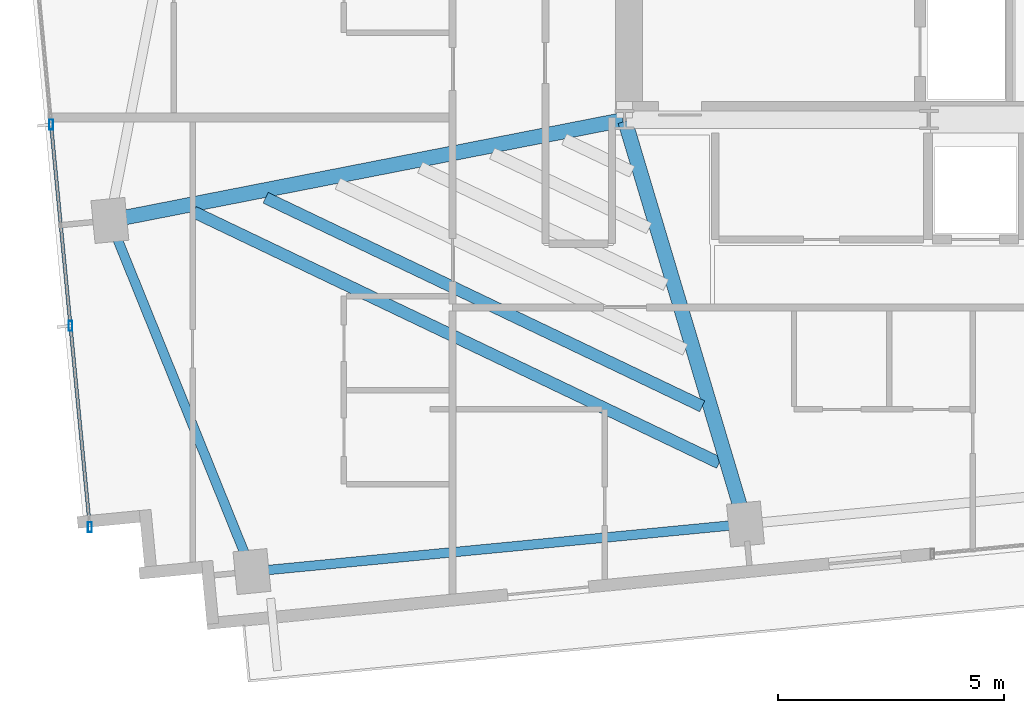
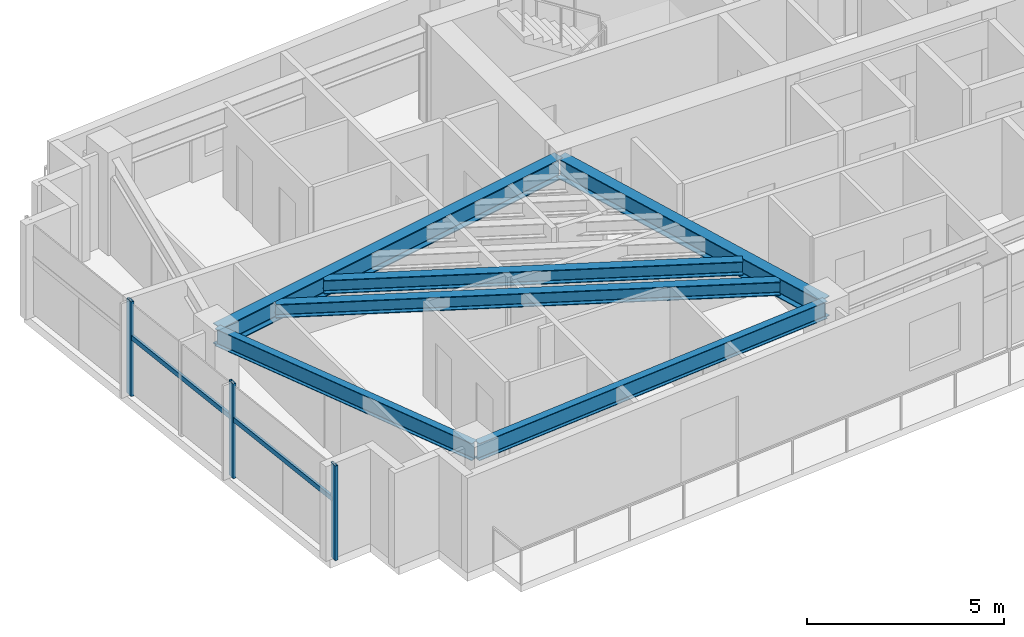
# One storey, part 2 of 18: 6 beams, 5 members, 1 element without a shape of its own.
"""IFC4 building model written with IfcOpenShell, lengths in metres."""

import ifcopenshell
import ifcopenshell.guid

model = None  # the IFC model being written
_history = None  # IfcOwnerHistory: only IFC2X3 demands one
_inside = {}  # id of a spatial element -> (the spatial element, [elements in it])
_under = {}  # id of a project, library or spatial element -> (it, [spatial elements below it])
_declared = {}  # id of a project -> (the project, [libraries it declares])
_typed = {}  # id of a type object -> (the type object, [elements of that type])
_made_of = {}  # id of a material, layer set ... -> (it, [elements and type objects made of it])


def new_model(schema):
    """Start an empty IFC model of exactly this schema.

    Asked for "IFC4X3", IfcOpenShell would pick the latest addendum, in which some entities
    have other attributes; the version numbers below select the first issue.
    IFC2X3 requires an IfcOwnerHistory on every rooted entity: one is made here for all.
    """
    global model, _history
    if schema == "IFC4X3":
        model = ifcopenshell.file(schema_version=(4, 3, 0, 0))
    else:
        model = ifcopenshell.file(schema=schema)
    _inside.clear()
    _under.clear()
    _declared.clear()
    _typed.clear()
    _made_of.clear()
    _history = None
    if model.schema == "IFC2X3":
        org = make("IfcOrganization", Name="unknown")
        user = make(
            "IfcPersonAndOrganization",
            ThePerson=make("IfcPerson", FamilyName="unknown"),
            TheOrganization=org,
        )
        app = make(
            "IfcApplication",
            ApplicationDeveloper=org,
            Version="unknown",
            ApplicationFullName="unknown",
            ApplicationIdentifier="unknown",
        )
        _history = make(
            "IfcOwnerHistory",
            OwningUser=user,
            OwningApplication=app,
            ChangeAction="ADDED",
            CreationDate=0,
        )
    return model


def make(cls, **values):
    """One entity of the class cls with the attributes given. An attribute that is None is left unset."""
    return model.create_entity(
        cls, **{name: value for name, value in values.items() if value is not None}
    )


def rooted(cls, **values):
    """An entity with a GlobalId (a new one), such as an element, a storey or a relation."""
    return make(cls, GlobalId=ifcopenshell.guid.new(), OwnerHistory=_history, **values)


def si_unit(unit_type, name, prefix=None):
    """IfcSIUnit, for example si_unit("LENGTHUNIT", "METRE", prefix="MILLI")."""
    return make("IfcSIUnit", UnitType=unit_type, Prefix=prefix, Name=name)


def assignment(units):
    """IfcUnitAssignment: the units of a project."""
    return None if units is None else make("IfcUnitAssignment", Units=units)


def point(xyz):
    """IfcCartesianPoint."""
    return None if xyz is None else make("IfcCartesianPoint", Coordinates=xyz)


def direction(xyz):
    """IfcDirection."""
    return None if xyz is None else make("IfcDirection", DirectionRatios=xyz)


def frame(location, z_axis=None, x_axis=None):
    """IfcAxis2Placement3D, a coordinate frame: its origin and axes. An axis left out is left unset."""
    return make(
        "IfcAxis2Placement3D",
        Location=point(location),
        Axis=direction(z_axis),
        RefDirection=direction(x_axis),
    )


def frame_2d(location, x_axis=None):
    """IfcAxis2Placement2D, a coordinate frame in the plane: its origin and x axis."""
    return make(
        "IfcAxis2Placement2D", Location=point(location), RefDirection=direction(x_axis)
    )


def origin():
    """The frame at (0, 0, 0) with its axes left unset."""
    return frame((0.0, 0.0, 0.0))


def origin_2d():
    """The frame at (0, 0) in the plane with its x axis left unset."""
    return frame_2d((0.0, 0.0))


def place(relative_to, where):
    """IfcLocalPlacement: puts the frame where relative to a parent placement (None: the world)."""
    return make(
        "IfcLocalPlacement", PlacementRelTo=relative_to, RelativePlacement=where
    )


def context(
    kind, dimensions, precision=None, world=None, true_north=None, identifier=None
):
    """IfcGeometricRepresentationContext, for example the 3D "Model" context."""
    return make(
        "IfcGeometricRepresentationContext",
        ContextIdentifier=identifier,
        ContextType=kind,
        CoordinateSpaceDimension=dimensions,
        Precision=precision,
        WorldCoordinateSystem=world,
        TrueNorth=true_north,
    )


def subcontext(parent, identifier, kind, view, scale=None):
    """IfcGeometricRepresentationSubContext, for example "Body" below "Model"."""
    return make(
        "IfcGeometricRepresentationSubContext",
        ContextIdentifier=identifier,
        ContextType=kind,
        ParentContext=parent,
        TargetScale=scale,
        TargetView=view,
    )


def project(units=None, contexts=None):
    """IfcProject with its units and contexts."""
    return rooted(
        "IfcProject",
        Name="project",
        RepresentationContexts=contexts,
        UnitsInContext=assignment(units),
    )


def spatial(cls, under=None, at=None, **own):
    """A site, building, storey or space (cls), placed at a placement, below another one or the project."""
    s = rooted(cls, ObjectPlacement=at, **own)
    if under is not None:
        _under.setdefault(under.id(), (under, []))[1].append(s)
    return s


def profile(cls, at=None, kind="AREA", **sizes):
    """A parametric profile (cls). Its sizes go by their IFC names, for example OverallWidth=200.0."""
    return make(cls, ProfileType=kind, Position=at, **sizes)


def hollow_rectangle(**sizes):
    """IfcRectangleHollowProfileDef."""
    return profile("IfcRectangleHollowProfileDef", **sizes)


def i_section(**sizes):
    """IfcIShapeProfileDef."""
    return profile("IfcIShapeProfileDef", **sizes)


def extrude(swept, where, along, depth):
    """IfcExtrudedAreaSolid: the profile swept, set in the frame where, extruded along a direction by depth."""
    return make(
        "IfcExtrudedAreaSolid",
        SweptArea=swept,
        Position=where,
        ExtrudedDirection=direction(along),
        Depth=depth,
    )


def shape(context_of_items, identifier, shape_type, items):
    """IfcShapeRepresentation: the items that make up one representation, for example the "Body"."""
    return make(
        "IfcShapeRepresentation",
        ContextOfItems=context_of_items,
        RepresentationIdentifier=identifier,
        RepresentationType=shape_type,
        Items=items,
    )


def source(mapping_origin, context_of_items, identifier, shape_type, items):
    """IfcRepresentationMap: a shape defined once, which mapped items show again and again."""
    return make(
        "IfcRepresentationMap",
        MappingOrigin=mapping_origin,
        MappedRepresentation=shape(context_of_items, identifier, shape_type, items),
    )


def transform(
    local_origin,
    x_axis=None,
    y_axis=None,
    z_axis=None,
    scale=None,
    scale2=None,
    scale3=None,
    uniform=True,
):
    """IfcCartesianTransformationOperator3D, or its non-uniform kind. x_axis, y_axis, z_axis: its Axis1, 2, 3."""
    if uniform:
        return make(
            "IfcCartesianTransformationOperator3D",
            Axis1=direction(x_axis),
            Axis2=direction(y_axis),
            LocalOrigin=point(local_origin),
            Scale=scale,
            Axis3=direction(z_axis),
        )
    return make(
        "IfcCartesianTransformationOperator3DnonUniform",
        Axis1=direction(x_axis),
        Axis2=direction(y_axis),
        LocalOrigin=point(local_origin),
        Scale=scale,
        Axis3=direction(z_axis),
        Scale2=scale2,
        Scale3=scale3,
    )


def mapped(mapping_source, mapping_target):
    """IfcMappedItem: shows the shape of a source again, moved by a transform."""
    return make(
        "IfcMappedItem", MappingSource=mapping_source, MappingTarget=mapping_target
    )


def material(Name=None, Category=None):
    """IfcMaterial."""
    return make("IfcMaterial", Name=Name, Category=Category)


def material_profile(
    of_material, cross_section, Name=None, Category=None, Priority=None
):
    """IfcMaterialProfile: a cross section and its material."""
    return make(
        "IfcMaterialProfile",
        Name=Name,
        Material=of_material,
        Profile=cross_section,
        Priority=Priority,
        Category=Category,
    )


def profile_set(profiles, Name=None, composite=None):
    """IfcMaterialProfileSet."""
    return make(
        "IfcMaterialProfileSet",
        Name=Name,
        MaterialProfiles=profiles,
        CompositeProfile=composite,
    )


def made_of(thing, what):
    """Note that an element or type object is made of a material, layer set ...; save() writes the relation."""
    if what is not None:
        _made_of.setdefault(what.id(), (what, []))[1].append(thing)
    return thing


def type_object(cls, material=None, **own):
    """A type object (cls), such as IfcWallType, which elements share."""
    return made_of(rooted(cls, **own), material)


def type_shapes(of_type, sources):
    """Give a type object the sources (RepresentationMaps) that its elements show as mapped items."""
    of_type.RepresentationMaps = sources


def element(
    cls,
    number,
    at=None,
    inside=None,
    cuts=None,
    type_object=None,
    material=None,
    context=None,
    identifier="Body",
    shape_type=None,
    held_by="IfcProductDefinitionShape",
    body=None,
    shapes=None,
    **own,
):
    """One element of the class cls, such as IfcWall. Its Tag is "e" and its number.

    at: its placement. inside: the storey or other place that contains it. cuts: it is an
    opening in that element (IfcRelVoidsElement). A single representation is given by context,
    identifier, shape_type and body (its items); several are given by shapes. held_by: the class
    of the entity that holds the representations. save() writes the other relations.
    """
    e = rooted(cls, Tag="e%d" % number, ObjectPlacement=at, **own)
    if body is not None:
        shapes = [shape(context, identifier, shape_type, body)]
    if shapes is not None:
        e.Representation = make(held_by, Representations=shapes)
    if inside is not None:
        _inside.setdefault(inside.id(), (inside, []))[1].append(e)
    if cuts is not None:
        rooted(
            "IfcRelVoidsElement", RelatingBuildingElement=cuts, RelatedOpeningElement=e
        )
    if type_object is not None:
        _typed.setdefault(type_object.id(), (type_object, []))[1].append(e)
    return made_of(e, material)


def aggregate(whole, parts):
    """IfcRelAggregates: a whole, such as a stair, and the parts it consists of."""
    return rooted("IfcRelAggregates", RelatingObject=whole, RelatedObjects=parts)


def save(model, path):
    """Write the relations noted so far, then the file.

    IfcRelAggregates (storeys below a building ...), IfcRelContainedInSpatialStructure (elements
    in a storey), IfcRelDefinesByType, IfcRelAssociatesMaterial and IfcRelDeclares: one each for
    every whole, place, type object, material and project.
    """
    for whole, parts in _under.values():
        aggregate(whole, parts)
    for where, things in _inside.values():
        rooted(
            "IfcRelContainedInSpatialStructure",
            RelatedElements=things,
            RelatingStructure=where,
        )
    for kind, things in _typed.values():
        rooted("IfcRelDefinesByType", RelatedObjects=things, RelatingType=kind)
    for what, things in _made_of.values():
        rooted("IfcRelAssociatesMaterial", RelatedObjects=things, RelatingMaterial=what)
    for by, libraries in _declared.values():
        rooted("IfcRelDeclares", RelatingContext=by, RelatedDefinitions=libraries)
    model.write(path)


model = new_model("IFC4")

# Units and contexts
model_context = context("Model", 3, precision=1e-05, world=origin(), true_north=direction((0.0, 1.0)))
body_context = subcontext(model_context, "Body", "Model", "MODEL_VIEW")
ifc_project = project(units=[si_unit("LENGTHUNIT", "METRE"), si_unit("AREAUNIT", "SQUARE_METRE"), si_unit("VOLUMEUNIT", "CUBIC_METRE"), si_unit("PLANEANGLEUNIT", "RADIAN"), si_unit("MASSUNIT", "GRAM", prefix="KILO")], contexts=[model_context])

# Site, building, storey
site_placement = place(None, origin())
site = spatial("IfcSite", under=ifc_project, at=site_placement, CompositionType="ELEMENT")
building_placement = place(site_placement, origin())
building = spatial("IfcBuilding", under=site, at=building_placement, Name="Astriad Promenade Condominiums", CompositionType="ELEMENT")
storey_placement = place(building_placement, frame((0.0, 0.0, 182.60009765625)))
storey = spatial("IfcBuildingStorey", under=building, at=storey_placement, Name="L52", CompositionType="ELEMENT", Elevation=182.60009765625)

# Beams
ifc_material_1 = material(Name="Steel ASTM A992 Grade 50", Category="steel")
ifc_material_profile_1 = material_profile(ifc_material_1, i_section(OverallWidth=0.210693359375, OverallDepth=0.53955078125, WebThickness=0.01171875, FlangeThickness=0.018798828125, FilletRadius=0.0166015625, at=origin_2d()), Name="W21X73")
ifc_profile_set_1 = profile_set([ifc_material_profile_1], Name="Steel ASTM A992 Grade 50")
beam_type_1 = type_object("IfcBeamType", Name="STEEL SPANDREL BEAM W21X73", PredefinedType="SPANDREL", material=ifc_profile_set_1)
shared_shape_1 = source(origin(), body_context, "Body", "SweptSolid", [
    extrude(i_section(OverallWidth=0.210693359375, OverallDepth=0.53955078125, WebThickness=0.01171875, FlangeThickness=0.018798828125, FilletRadius=0.0166015625, at=origin_2d()), origin(), (0.0, 0.0, 1.0), 10.8701171875),
])
beam_1_placement = place(storey_placement, frame((18.209228515625, 7.421630859375, 2.670166015625), z_axis=(0.995394986184, 0.09585834069, 0.0), x_axis=(-0.09585834069, 0.995394986184, 0.0)))
element("IfcBeam", 1, at=beam_1_placement, inside=storey, type_object=beam_type_1, Name="Perimeter Spandrel Beam SP-S1-L52", PredefinedType="SPANDREL", context=body_context, shape_type="MappedRepresentation", body=[
    mapped(shared_shape_1, transform((0.0, 0.0, 0.0), scale=1.0)),
])
shared_shape_2 = source(origin(), body_context, "Body", "SweptSolid", [
    extrude(i_section(OverallWidth=0.210693359375, OverallDepth=0.53955078125, WebThickness=0.01171875, FlangeThickness=0.018798828125, FilletRadius=0.0166015625, at=origin_2d()), origin(), (0.0, 0.0, 1.0), 8.28564453125),
])
type_shapes(beam_type_1, [shared_shape_1, shared_shape_2])
beam_2_placement = place(storey_placement, frame((15.046875, 15.1357421875, 2.670166015625), z_axis=(0.375070987134, -0.926996092014, 0.0), x_axis=(0.926996092014, 0.375070987134, 0.0)))
element("IfcBeam", 2, at=beam_2_placement, inside=storey, type_object=beam_type_1, Name="Perimeter Spandrel Beam SP-W1-L52", PredefinedType="SPANDREL", context=body_context, shape_type="MappedRepresentation", body=[
    mapped(shared_shape_2, transform((0.0, 0.0, 0.0), scale=1.0)),
])
ifc_material_profile_2 = material_profile(ifc_material_1, i_section(OverallWidth=0.327392578125, OverallDepth=0.640625, WebThickness=0.01904296875, FlangeThickness=0.033935546875, FilletRadius=0.017822265625, at=origin_2d()), Name="W24X176")
ifc_profile_set_2 = profile_set([ifc_material_profile_2], Name="Steel ASTM A992 Grade 50")
beam_type_2 = type_object("IfcBeamType", Name="STEEL FLOOR GIRDER W24X176", PredefinedType="BEAM", material=ifc_profile_set_2)
shared_shape_3 = source(origin(), body_context, "Body", "SweptSolid", [
    extrude(i_section(OverallWidth=0.327392578125, OverallDepth=0.640625, WebThickness=0.01904296875, FlangeThickness=0.033935546875, FilletRadius=0.017822265625, at=origin_2d()), origin(), (0.0, 0.0, 1.0), 11.504150390625),
])
type_shapes(beam_type_2, [shared_shape_3])
beam_3_placement = place(storey_placement, frame((15.071044921875, 15.1806640625, 2.61962890625), z_axis=(0.981346028441, 0.192249765833, 0.0), x_axis=(-0.192249765833, 0.981346028441, 0.0)))
element("IfcBeam", 3, at=beam_3_placement, inside=storey, type_object=beam_type_2, Name="Primary Floor Girder PG-WM-L52", PredefinedType="BEAM", context=body_context, shape_type="MappedRepresentation", body=[
    mapped(shared_shape_3, transform((0.0, 0.0, 0.0), scale=1.0)),
])
ifc_material_profile_3 = material_profile(ifc_material_1, i_section(OverallWidth=0.326416015625, OverallDepth=0.621826171875, WebThickness=0.015380859375, FlangeThickness=0.0244140625, FilletRadius=0.017822265625, at=origin_2d()), Name="W24X131")
ifc_profile_set_3 = profile_set([ifc_material_profile_3], Name="Steel ASTM A992 Grade 50")
beam_type_3 = type_object("IfcBeamType", Name="STEEL FLOOR GIRDER W24X131", PredefinedType="BEAM", material=ifc_profile_set_3)
shared_shape_4 = source(origin(), body_context, "Body", "SweptSolid", [
    extrude(i_section(OverallWidth=0.326416015625, OverallDepth=0.621826171875, WebThickness=0.015380859375, FlangeThickness=0.0244140625, FilletRadius=0.017822265625, at=origin_2d()), origin(), (0.0, 0.0, 1.0), 9.242919921875),
])
type_shapes(beam_type_3, [shared_shape_4])
beam_4_placement = place(storey_placement, frame((29.0576171875, 8.505615234375, 2.62890625), z_axis=(-0.286269354745, 0.958149182818, 0.0), x_axis=(-0.958149182818, -0.286269354745, 0.0)))
element("IfcBeam", 4, at=beam_4_placement, inside=storey, type_object=beam_type_3, Name="Primary Floor Girder PG-W2-L52", PredefinedType="BEAM", context=body_context, shape_type="MappedRepresentation", body=[
    mapped(shared_shape_4, transform((0.0, 0.0, 0.0), scale=1.0)),
])
ifc_material_profile_4 = material_profile(ifc_material_1, i_section(OverallWidth=0.26318359375, OverallDepth=0.425537109375, WebThickness=0.01318359375, FlangeThickness=0.022216796875, FilletRadius=0.013916015625, at=origin_2d()), Name="W16X89")
ifc_profile_set_4 = profile_set([ifc_material_profile_4], Name="Steel ASTM A992 Grade 50")
beam_type_4 = type_object("IfcBeamType", Name="STEEL FLOOR JOIST W16X89", PredefinedType="JOIST", material=ifc_profile_set_4)
shared_shape_5 = source(origin(), body_context, "Body", "SweptSolid", [
    extrude(i_section(OverallWidth=0.26318359375, OverallDepth=0.425537109375, WebThickness=0.01318359375, FlangeThickness=0.022216796875, FilletRadius=0.013916015625, at=origin_2d()), origin(), (0.0, 0.0, 1.0), 12.864013671875),
])
beam_5_placement = place(storey_placement, frame((16.8798828125, 15.362060546875, 2.72705078125), z_axis=(0.902332932985, -0.431039763886, 0.0), x_axis=(0.431039763886, 0.902332932985, 0.0)))
element("IfcBeam", 5, at=beam_5_placement, inside=storey, type_object=beam_type_4, Name="Secondary Composite Floor Joist JW1-1-L52", PredefinedType="JOIST", context=body_context, shape_type="MappedRepresentation", body=[
    mapped(shared_shape_5, transform((0.0, 0.0, 0.0), scale=1.0)),
])
shared_shape_6 = source(origin(), body_context, "Body", "SweptSolid", [
    extrude(i_section(OverallWidth=0.26318359375, OverallDepth=0.425537109375, WebThickness=0.01318359375, FlangeThickness=0.022216796875, FilletRadius=0.013916015625, at=origin_2d()), origin(), (0.0, 0.0, 1.0), 10.686279296875),
])
type_shapes(beam_type_4, [shared_shape_5, shared_shape_6])
beam_6_placement = place(storey_placement, frame((18.471435546875, 15.673828125, 2.72705078125), z_axis=(0.902342124644, -0.431020521661, 0.0), x_axis=(0.431020521661, 0.902342124644, 0.0)))
element("IfcBeam", 6, at=beam_6_placement, inside=storey, type_object=beam_type_4, Name="Secondary Composite Floor Joist JW1-2-L52", PredefinedType="JOIST", context=body_context, shape_type="MappedRepresentation", body=[
    mapped(shared_shape_6, transform((0.0, 0.0, 0.0), scale=1.0)),
])

# Curtain wall, members
ifc_material_2 = material(Name="Anodised aluminium Black Dark Glass Unitised", Category="aluminium")
curtain_wall_type = type_object("IfcCurtainWallType", Name="CW-B34-DARK", PredefinedType="USERDEFINED", material=ifc_material_2)
curtain_wall_placement = place(storey_placement, origin())
curtain_wall = element("IfcCurtainWall", 7, at=curtain_wall_placement, inside=storey, type_object=curtain_wall_type, Name="CW-L52-W", ObjectType="UNITISED_CURTAIN_WALL", PredefinedType="USERDEFINED")
ifc_material_3 = material(Name="Anodised aluminium 6063-T6 Black", Category="aluminium")
ifc_material_profile_5 = material_profile(ifc_material_3, hollow_rectangle(XDim=0.0849609375, YDim=0.219970703125, WallThickness=0.0048828125, at=origin_2d()), Name="ALU-MUL-85X220")
ifc_profile_set_5 = profile_set([ifc_material_profile_5], Name="Anodised aluminium 6063-T6 Black")
member_type_1 = type_object("IfcMemberType", Name="MUL-ALU-MUL-85X220", PredefinedType="MULLION", material=ifc_profile_set_5)
shared_shape_7 = source(origin(), body_context, "Body", "SweptSolid", [
    extrude(hollow_rectangle(XDim=0.0849609375, YDim=0.219970703125, WallThickness=0.0048828125, at=origin_2d()), origin(), (0.0, 0.0, 1.0), 2.93994140625),
])
type_shapes(member_type_1, [shared_shape_7])
member_1_placement = place(storey_placement, frame((14.589111328125, 8.3994140625, 0.0), z_axis=(0.0, 0.0, 1.0), x_axis=(1.0, 0.0, 0.0)))
member_1 = element("IfcMember", 8, at=member_1_placement, type_object=member_type_1, Name="CW-L52-W-MUL-00", PredefinedType="MULLION", context=body_context, shape_type="MappedRepresentation", body=[
    mapped(shared_shape_7, transform((0.0, 0.0, 0.0), scale=1.0)),
])
member_2_placement = place(storey_placement, frame((14.160888671875, 12.845458984375, 0.0), z_axis=(0.0, 0.0, 1.0), x_axis=(1.0, 0.0, 0.0)))
member_2 = element("IfcMember", 9, at=member_2_placement, type_object=member_type_1, Name="CW-L52-W-MUL-01", PredefinedType="MULLION", context=body_context, shape_type="MappedRepresentation", body=[
    mapped(shared_shape_7, transform((0.0, 0.0, 0.0), scale=1.0)),
])
member_3_placement = place(storey_placement, frame((13.732666015625, 17.29150390625, 0.0), z_axis=(0.0, 0.0, 1.0), x_axis=(1.0, 0.0, 0.0)))
member_3 = element("IfcMember", 10, at=member_3_placement, type_object=member_type_1, Name="CW-L52-W-MUL-02", PredefinedType="MULLION", context=body_context, shape_type="MappedRepresentation", body=[
    mapped(shared_shape_7, transform((0.0, 0.0, 0.0), scale=1.0)),
])
ifc_material_profile_6 = material_profile(ifc_material_3, hollow_rectangle(XDim=0.074951171875, YDim=0.14990234375, WallThickness=0.004150390625, at=origin_2d()), Name="ALU-TRN-75X150")
ifc_profile_set_6 = profile_set([ifc_material_profile_6], Name="Anodised aluminium 6063-T6 Black")
member_type_2 = type_object("IfcMemberType", Name="TRN-ALU-TRN-75X150", PredefinedType="USERDEFINED", material=ifc_profile_set_6)
shared_shape_8 = source(origin(), body_context, "Body", "SweptSolid", [
    extrude(hollow_rectangle(XDim=0.074951171875, YDim=0.14990234375, WallThickness=0.004150390625, at=origin_2d()), origin(), (0.0, 0.0, 1.0), 4.466552734375),
])
type_shapes(member_type_2, [shared_shape_8])
member_4_placement = place(storey_placement, frame((14.589111328125, 8.3994140625, 1.82275390625), z_axis=(-0.095871755514, 0.995393694221, 0.0), x_axis=(-0.995393694221, -0.095871755514, 0.0)))
member_4 = element("IfcMember", 11, at=member_4_placement, type_object=member_type_2, Name="CW-L52-W-TRN-00-0", ObjectType="TRANSOM", PredefinedType="USERDEFINED", context=body_context, shape_type="MappedRepresentation", body=[
    mapped(shared_shape_8, transform((0.0, 0.0, 0.0), scale=1.0)),
])
member_5_placement = place(storey_placement, frame((14.160888671875, 12.845458984375, 1.82275390625), z_axis=(-0.095871755514, 0.995393694221, 0.0), x_axis=(-0.995393694221, -0.095871755514, 0.0)))
member_5 = element("IfcMember", 12, at=member_5_placement, type_object=member_type_2, Name="CW-L52-W-TRN-01-0", ObjectType="TRANSOM", PredefinedType="USERDEFINED", context=body_context, shape_type="MappedRepresentation", body=[
    mapped(shared_shape_8, transform((0.0, 0.0, 0.0), scale=1.0)),
])
aggregate(curtain_wall, [member_1, member_2, member_3, member_4, member_5])

save(model, "model.ifc")
